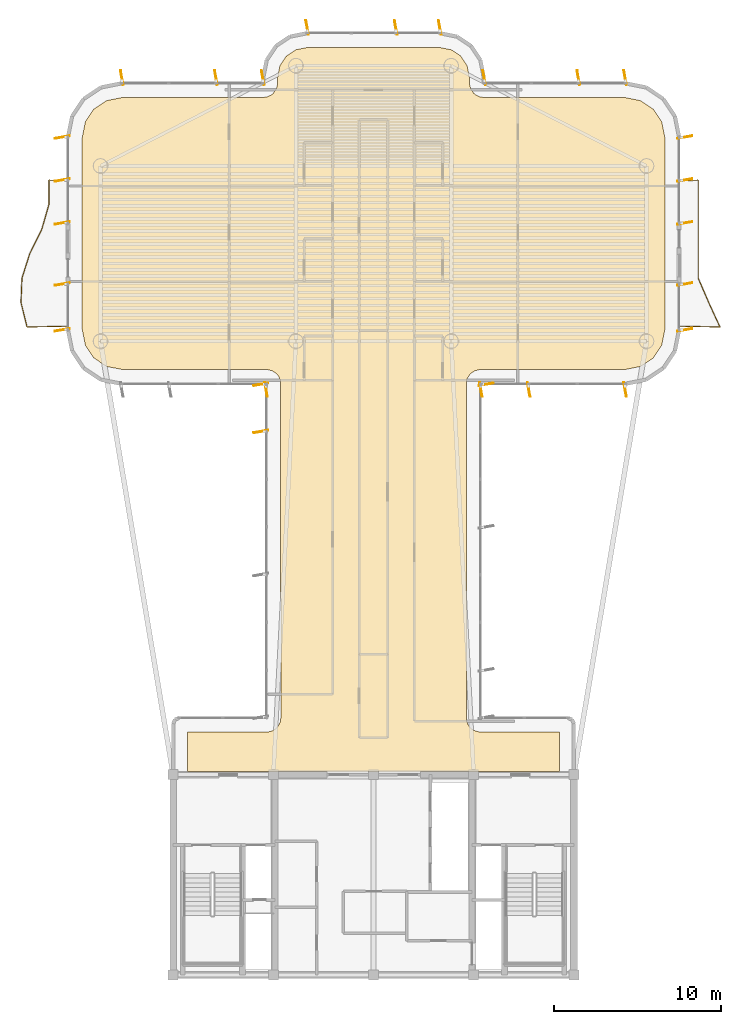
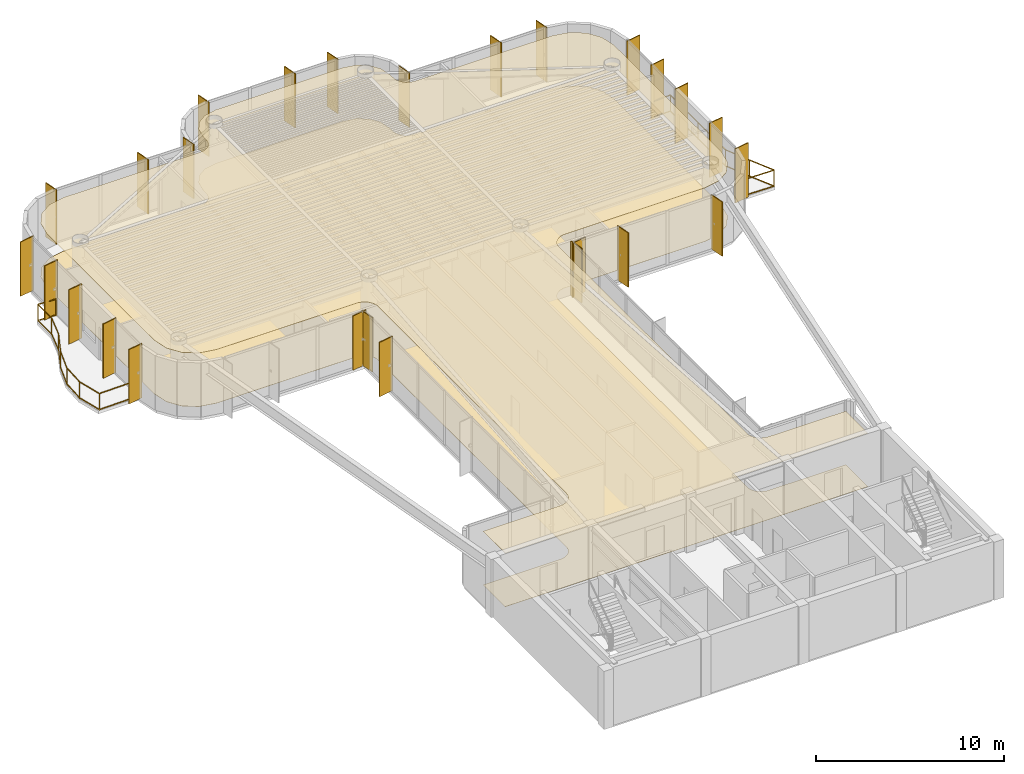
# One storey, part 16 of 16: 26 shading devices, 2 coverings, 2 railings.
"""IFC4 building model written with IfcOpenShell, lengths in metres."""

from ifc_helpers import new_model, si_unit, direction, frame, origin, origin_2d, place, context, subcontext, project, spatial, polyline, rectangle, outline, extrude, source, transform, mapped, material, layer, layer_set, material_profile, profile_set, type_object, element, save


model = new_model("IFC4")

# Units and contexts
model_context = context("Model", 3, precision=1e-05, world=origin(), true_north=direction((0.0, 1.0)))
body_context = subcontext(model_context, "Body", "Model", "MODEL_VIEW")
ifc_project = project(units=[si_unit("LENGTHUNIT", "METRE"), si_unit("AREAUNIT", "SQUARE_METRE"), si_unit("VOLUMEUNIT", "CUBIC_METRE"), si_unit("PLANEANGLEUNIT", "RADIAN"), si_unit("MASSUNIT", "GRAM", prefix="KILO")], contexts=[model_context])

# Site, building, storey
site_placement = place(None, origin())
site = spatial("IfcSite", under=ifc_project, at=site_placement, CompositionType="ELEMENT")
building_placement = place(site_placement, origin())
building = spatial("IfcBuilding", under=site, at=building_placement, Name="Brelvock Crest Care Tower", CompositionType="ELEMENT")
storey_placement = place(building_placement, frame((0.0, 0.0, 234.360107421875)))
storey = spatial("IfcBuildingStorey", under=building, at=storey_placement, Name="L59", CompositionType="ELEMENT", Elevation=234.360107421875)

# Coverings
ifc_material_1 = material(Name="Mineral Fibre Acoustic Ceiling Tile", Category="gypsum")
ifc_layer_1 = layer(ifc_material_1, 0.02490234375, Name="COV-CLG1")
ifc_layer_set_1 = layer_set([ifc_layer_1], Name="Mineral Fibre Acoustic Ceiling Tile")
covering_type_1 = type_object("IfcCoveringType", Name="COV-CLG1", PredefinedType="CEILING", material=ifc_layer_set_1)
covering_1_placement = place(storey_placement, frame((0.0, 0.0, 3.474853515625)))
element("IfcCovering", 1, at=covering_1_placement, inside=storey, type_object=covering_type_1, Name="L59 Acoustic Suspended Ceiling 1", PredefinedType="CEILING", context=body_context, shape_type="SweptSolid", body=[
    extrude(outline(polyline([(24.85009765625, 18.199951171875), (47.14990234375, 18.199951171875), (47.14990234375, 20.550048828125), (42.316650390625, 20.55419921875), (41.999267578125, 20.650390625), (41.799072265625, 20.799072265625), (41.650390625, 20.999267578125), (41.56640625, 21.234130859375), (41.55419921875, 41.4833984375), (41.61474609375, 41.725341796875), (41.799072265625, 42.0009765625), (42.07470703125, 42.185302734375), (42.316650390625, 42.245849609375), (51.016357421875, 42.25), (51.992919921875, 42.4443359375), (52.75, 42.9501953125), (53.255615234375, 43.70703125), (53.449951171875, 44.68359375), (53.449951171875, 56.1162109375), (53.255615234375, 57.093017578125), (52.75, 57.849853515625), (51.992919921875, 58.355712890625), (51.016357421875, 58.550048828125), (42.60009765625, 58.550048828125), (42.353271484375, 58.586669921875), (42.127685546875, 58.693359375), (41.9990234375, 58.799072265625), (41.814697265625, 59.07470703125), (41.754150390625, 59.316650390625), (41.75, 59.71630859375), (41.601318359375, 60.46337890625), (41.2255859375, 61.025634765625), (40.663330078125, 61.4013671875), (39.916259765625, 61.550048828125), (32.083740234375, 61.550048828125), (31.336669921875, 61.4013671875), (30.7744140625, 61.025634765625), (30.398681640625, 60.46337890625), (30.25, 59.71630859375), (30.245849609375, 59.316650390625), (30.185302734375, 59.07470703125), (30.0009765625, 58.799072265625), (29.872314453125, 58.693359375), (29.646728515625, 58.586669921875), (29.39990234375, 58.550048828125), (20.983642578125, 58.550048828125), (20.007080078125, 58.355712890625), (19.25, 57.849853515625), (18.744384765625, 57.093017578125), (18.550048828125, 56.1162109375), (18.550048828125, 44.68359375), (18.744384765625, 43.70703125), (19.25, 42.9501953125), (20.007080078125, 42.4443359375), (20.983642578125, 42.25), (29.683349609375, 42.245849609375), (29.92529296875, 42.185302734375), (30.200927734375, 42.0009765625), (30.349609375, 41.80078125), (30.43359375, 41.56591796875), (30.449951171875, 21.39990234375), (30.413330078125, 21.1533203125), (30.306640625, 20.927734375), (30.13916015625, 20.742919921875), (29.92529296875, 20.61474609375), (29.683349609375, 20.55419921875), (24.85009765625, 20.550048828125), (24.85009765625, 18.199951171875)])), origin(), (0.0, 0.0, 1.0), 0.025146484375),
])
ifc_material_2 = material(Name="Slip-Resistant Acoustic Vinyl Flooring", Category="finish")
ifc_layer_2 = layer(ifc_material_2, 0.014892578125, Name="COV-FLR1")
ifc_layer_set_2 = layer_set([ifc_layer_2], Name="Slip-Resistant Acoustic Vinyl Flooring")
covering_type_2 = type_object("IfcCoveringType", Name="COV-FLR1", PredefinedType="FLOORING", material=ifc_layer_set_2)
covering_2_placement = place(storey_placement, origin())
element("IfcCovering", 2, at=covering_2_placement, inside=storey, type_object=covering_type_2, Name="L59 Slip-Resistant Acoustic Flooring 1", PredefinedType="FLOORING", context=body_context, shape_type="SweptSolid", body=[
    extrude(outline(polyline([(24.85009765625, 18.199951171875), (47.14990234375, 18.199951171875), (47.14990234375, 20.550048828125), (42.316650390625, 20.55419921875), (41.999267578125, 20.650390625), (41.799072265625, 20.799072265625), (41.650390625, 20.999267578125), (41.56640625, 21.234130859375), (41.55419921875, 41.4833984375), (41.61474609375, 41.725341796875), (41.799072265625, 42.0009765625), (42.07470703125, 42.185302734375), (42.316650390625, 42.245849609375), (51.016357421875, 42.25), (51.992919921875, 42.4443359375), (52.75, 42.9501953125), (53.255615234375, 43.70703125), (53.449951171875, 44.68359375), (53.449951171875, 56.1162109375), (53.255615234375, 57.093017578125), (52.75, 57.849853515625), (51.992919921875, 58.355712890625), (51.016357421875, 58.550048828125), (42.60009765625, 58.550048828125), (42.353271484375, 58.586669921875), (42.127685546875, 58.693359375), (41.9990234375, 58.799072265625), (41.814697265625, 59.07470703125), (41.754150390625, 59.316650390625), (41.75, 59.71630859375), (41.601318359375, 60.46337890625), (41.2255859375, 61.025634765625), (40.663330078125, 61.4013671875), (39.916259765625, 61.550048828125), (32.083740234375, 61.550048828125), (31.336669921875, 61.4013671875), (30.7744140625, 61.025634765625), (30.398681640625, 60.46337890625), (30.25, 59.71630859375), (30.245849609375, 59.316650390625), (30.185302734375, 59.07470703125), (30.0009765625, 58.799072265625), (29.872314453125, 58.693359375), (29.646728515625, 58.586669921875), (29.39990234375, 58.550048828125), (20.983642578125, 58.550048828125), (20.007080078125, 58.355712890625), (19.25, 57.849853515625), (18.744384765625, 57.093017578125), (18.550048828125, 56.1162109375), (18.550048828125, 44.68359375), (18.744384765625, 43.70703125), (19.25, 42.9501953125), (20.007080078125, 42.4443359375), (20.983642578125, 42.25), (29.683349609375, 42.245849609375), (29.92529296875, 42.185302734375), (30.200927734375, 42.0009765625), (30.349609375, 41.80078125), (30.43359375, 41.56591796875), (30.449951171875, 21.39990234375), (30.413330078125, 21.1533203125), (30.306640625, 20.927734375), (30.13916015625, 20.742919921875), (29.92529296875, 20.61474609375), (29.683349609375, 20.55419921875), (24.85009765625, 20.550048828125), (24.85009765625, 18.199951171875)])), origin(), (0.0, 0.0, 1.0), 0.014892578125),
])

# Railings
ifc_material_3 = material(Name="Dark Glass Double Glazed Low-E", Category="glass")
ifc_layer_3 = layer(ifc_material_3, 0.06005859375, Name="RL-BAL1")
ifc_layer_set_3 = layer_set([ifc_layer_3], Name="Dark Glass Double Glazed Low-E")
railing_type = type_object("IfcRailingType", Name="RL-BAL1", PredefinedType="BALUSTRADE", material=ifc_layer_set_3)
railing_1_placement = place(storey_placement, frame((17.659912109375, 44.85009765625, 0.00390625)))
element("IfcRailing", 3, at=railing_1_placement, inside=storey, type_object=railing_type, Name="L59 Safety Balustrade WB-W", PredefinedType="BALUSTRADE", context=body_context, shape_type="SweptSolid", body=[
    extrude(rectangle(XDim=0.048095703125, YDim=0.048095703125, at=origin_2d()), frame((-0.001953125, 0.0, 1.09619140625), z_axis=(-0.999783452903, -0.020809788592, 0.0), x_axis=(0.020809788592, -0.999783452903, 0.0)), (0.0, 0.0, 1.0), 2.401123046875),
    extrude(rectangle(XDim=0.048095703125, YDim=0.048095703125, at=origin_2d()), frame((-0.001953125, 0.0, 0.054931640625), z_axis=(-0.999783452903, -0.020809788592, 0.0), x_axis=(0.020809788592, -0.999783452903, 0.0)), (0.0, 0.0, 1.0), 2.401123046875),
    extrude(rectangle(XDim=0.048095703125, YDim=0.048095703125, at=origin_2d()), frame((-2.405029296875, -0.048095703125, 1.09619140625), z_axis=(-0.242117552355, 0.970246922614, 0.0), x_axis=(-0.970246922614, -0.242117552355, 0.0)), (0.0, 0.0, 1.0), 1.507568359375),
    extrude(rectangle(XDim=0.048095703125, YDim=0.048095703125, at=origin_2d()), frame((-2.405029296875, -0.048095703125, 0.054931640625), z_axis=(-0.242117552355, 0.970246922614, 0.0), x_axis=(-0.970246922614, -0.242117552355, 0.0)), (0.0, 0.0, 1.0), 1.507568359375),
    extrude(rectangle(XDim=0.048095703125, YDim=0.048095703125, at=origin_2d()), frame((-2.7705078125, 1.41845703125, 1.09619140625), z_axis=(0.041077151543, 0.999155977624, 0.0), x_axis=(-0.999155977624, 0.041077151543, 0.0)), (0.0, 0.0, 1.0), 1.464111328125),
    extrude(rectangle(XDim=0.048095703125, YDim=0.048095703125, at=origin_2d()), frame((-2.7705078125, 1.41845703125, 0.054931640625), z_axis=(0.041077151543, 0.999155977624, 0.0), x_axis=(-0.999155977624, 0.041077151543, 0.0)), (0.0, 0.0, 1.0), 1.464111328125),
    extrude(rectangle(XDim=0.048095703125, YDim=0.048095703125, at=origin_2d()), frame((-2.709716796875, 2.88525390625, 1.09619140625), z_axis=(0.303301869787, 0.952894525005, 0.0), x_axis=(-0.952894525005, 0.303301869787, 0.0)), (0.0, 0.0, 1.0), 1.53515625),
    extrude(rectangle(XDim=0.048095703125, YDim=0.048095703125, at=origin_2d()), frame((-2.709716796875, 2.88525390625, 0.054931640625), z_axis=(0.303301869787, 0.952894525005, 0.0), x_axis=(-0.952894525005, 0.303301869787, 0.0)), (0.0, 0.0, 1.0), 1.53515625),
    extrude(rectangle(XDim=0.048095703125, YDim=0.048095703125, at=origin_2d()), frame((-2.242431640625, 4.3515625, 1.09619140625), z_axis=(0.442070383243, 0.896980365593, 0.0), x_axis=(-0.896980365593, 0.442070383243, 0.0)), (0.0, 0.0, 1.0), 1.63134765625),
    extrude(rectangle(XDim=0.048095703125, YDim=0.048095703125, at=origin_2d()), frame((-2.242431640625, 4.3515625, 0.054931640625), z_axis=(0.442070383243, 0.896980365593, 0.0), x_axis=(-0.896980365593, 0.442070383243, 0.0)), (0.0, 0.0, 1.0), 1.63134765625),
    extrude(rectangle(XDim=0.048095703125, YDim=0.048095703125, at=origin_2d()), frame((-1.52001953125, 5.818603515625, 1.09619140625), z_axis=(0.275714312465, 0.961239625641, 0.0), x_axis=(-0.961239625641, 0.275714312465, 0.0)), (0.0, 0.0, 1.0), 1.521728515625),
    extrude(rectangle(XDim=0.048095703125, YDim=0.048095703125, at=origin_2d()), frame((-1.52001953125, 5.818603515625, 0.054931640625), z_axis=(0.275714312465, 0.961239625641, 0.0), x_axis=(-0.961239625641, 0.275714312465, 0.0)), (0.0, 0.0, 1.0), 1.521728515625),
    extrude(rectangle(XDim=0.048095703125, YDim=0.048095703125, at=origin_2d()), frame((-1.099853515625, 7.28515625, 1.09619140625), z_axis=(0.0, 1.0, 0.0), x_axis=(-1.0, 0.0, 0.0)), (0.0, 0.0, 1.0), 1.462890625),
    extrude(rectangle(XDim=0.048095703125, YDim=0.048095703125, at=origin_2d()), frame((-1.099853515625, 7.28515625, 0.054931640625), z_axis=(0.0, 1.0, 0.0), x_axis=(-1.0, 0.0, 0.0)), (0.0, 0.0, 1.0), 1.462890625),
    extrude(rectangle(XDim=0.048095703125, YDim=0.048095703125, at=origin_2d()), frame((-1.097900390625, 8.75, 1.09619140625), z_axis=(0.998966252902, -0.045457953795, 0.0), x_axis=(0.045457953795, 0.998966252902, 0.0)), (0.0, 0.0, 1.0), 1.096923828125),
    extrude(rectangle(XDim=0.048095703125, YDim=0.048095703125, at=origin_2d()), frame((-1.097900390625, 8.75, 0.054931640625), z_axis=(0.998966252902, -0.045457953795, 0.0), x_axis=(0.045457953795, 0.998966252902, 0.0)), (0.0, 0.0, 1.0), 1.096923828125),
    extrude(rectangle(XDim=0.0419921875, YDim=0.0419921875, at=origin_2d()), origin(), (0.0, 0.0, 1.0), 1.070068359375),
    extrude(rectangle(XDim=0.0419921875, YDim=0.0419921875, at=origin_2d()), frame((-2.404541015625, -0.050048828125, 0.0)), (0.0, 0.0, 1.0), 1.070068359375),
    extrude(rectangle(XDim=0.0419921875, YDim=0.0419921875, at=origin_2d()), frame((-2.7705078125, 1.41650390625, 0.0)), (0.0, 0.0, 1.0), 1.070068359375),
    extrude(rectangle(XDim=0.0419921875, YDim=0.0419921875, at=origin_2d()), frame((-2.710205078125, 2.88330078125, 0.0)), (0.0, 0.0, 1.0), 1.070068359375),
    extrude(rectangle(XDim=0.0419921875, YDim=0.0419921875, at=origin_2d()), frame((-2.243408203125, 4.349853515625, 0.0)), (0.0, 0.0, 1.0), 1.070068359375),
    extrude(rectangle(XDim=0.0419921875, YDim=0.0419921875, at=origin_2d()), frame((-1.5205078125, 5.816650390625, 0.0)), (0.0, 0.0, 1.0), 1.070068359375),
    extrude(rectangle(XDim=0.0419921875, YDim=0.0419921875, at=origin_2d()), frame((-1.099853515625, 7.283203125, 0.0)), (0.0, 0.0, 1.0), 1.070068359375),
    extrude(rectangle(XDim=0.0419921875, YDim=0.0419921875, at=origin_2d()), frame((-1.099853515625, 8.75, 0.0)), (0.0, 0.0, 1.0), 1.070068359375),
    extrude(rectangle(XDim=0.0419921875, YDim=0.0419921875, at=origin_2d()), frame((0.0, 8.699951171875, 0.0)), (0.0, 0.0, 1.0), 1.070068359375),
])
railing_2_placement = place(storey_placement, frame((54.340087890625, 44.85009765625, 0.00390625)))
element("IfcRailing", 4, at=railing_2_placement, inside=storey, type_object=railing_type, Name="L59 Safety Balustrade WB-E", PredefinedType="BALUSTRADE", context=body_context, shape_type="SweptSolid", body=[
    extrude(rectangle(XDim=0.048095703125, YDim=0.048095703125, at=origin_2d()), frame((0.001953125, 0.0, 1.09619140625), z_axis=(0.999783452903, -0.020809788592, 0.0), x_axis=(0.020809788592, 0.999783452903, 0.0)), (0.0, 0.0, 1.0), 2.401123046875),
    extrude(rectangle(XDim=0.048095703125, YDim=0.048095703125, at=origin_2d()), frame((0.001953125, 0.0, 0.054931640625), z_axis=(0.999783452903, -0.020809788592, 0.0), x_axis=(0.020809788592, 0.999783452903, 0.0)), (0.0, 0.0, 1.0), 2.401123046875),
    extrude(rectangle(XDim=0.048095703125, YDim=0.048095703125, at=origin_2d()), frame((2.40380859375, -0.04833984375, 1.09619140625), z_axis=(-0.417503547282, 0.908675292944, 0.0), x_axis=(-0.908675292944, -0.417503547282, 0.0)), (0.0, 0.0, 1.0), 1.60986328125),
    extrude(rectangle(XDim=0.048095703125, YDim=0.048095703125, at=origin_2d()), frame((2.40380859375, -0.04833984375, 0.054931640625), z_axis=(-0.417503547282, 0.908675292944, 0.0), x_axis=(-0.908675292944, -0.417503547282, 0.0)), (0.0, 0.0, 1.0), 1.60986328125),
    extrude(rectangle(XDim=0.048095703125, YDim=0.048095703125, at=origin_2d()), frame((1.72998046875, 1.41845703125, 1.09619140625), z_axis=(-0.395100013248, 0.918638111299, 0.0), x_axis=(-0.918638111299, -0.395100013248, 0.0)), (0.0, 0.0, 1.0), 1.5927734375),
    extrude(rectangle(XDim=0.048095703125, YDim=0.048095703125, at=origin_2d()), frame((1.72998046875, 1.41845703125, 0.054931640625), z_axis=(-0.395100013248, 0.918638111299, 0.0), x_axis=(-0.918638111299, -0.395100013248, 0.0)), (0.0, 0.0, 1.0), 1.5927734375),
    extrude(rectangle(XDim=0.048095703125, YDim=0.048095703125, at=origin_2d()), frame((1.099853515625, 2.88525390625, 1.09619140625), z_axis=(0.0, 1.0, 0.0), x_axis=(-1.0, 0.0, 0.0)), (0.0, 0.0, 1.0), 5.86279296875),
    extrude(rectangle(XDim=0.048095703125, YDim=0.048095703125, at=origin_2d()), frame((1.099853515625, 2.88525390625, 0.054931640625), z_axis=(0.0, 1.0, 0.0), x_axis=(-1.0, 0.0, 0.0)), (0.0, 0.0, 1.0), 5.86279296875),
    extrude(rectangle(XDim=0.048095703125, YDim=0.048095703125, at=origin_2d()), frame((1.097900390625, 8.75, 1.09619140625), z_axis=(-0.998966252902, -0.045457953795, 0.0), x_axis=(0.045457953795, -0.998966252902, 0.0)), (0.0, 0.0, 1.0), 1.096923828125),
    extrude(rectangle(XDim=0.048095703125, YDim=0.048095703125, at=origin_2d()), frame((1.097900390625, 8.75, 0.054931640625), z_axis=(-0.998966252902, -0.045457953795, 0.0), x_axis=(0.045457953795, -0.998966252902, 0.0)), (0.0, 0.0, 1.0), 1.096923828125),
    extrude(rectangle(XDim=0.0419921875, YDim=0.0419921875, at=origin_2d()), origin(), (0.0, 0.0, 1.0), 1.070068359375),
    extrude(rectangle(XDim=0.0419921875, YDim=0.0419921875, at=origin_2d()), frame((2.404541015625, -0.050048828125, 0.0)), (0.0, 0.0, 1.0), 1.070068359375),
    extrude(rectangle(XDim=0.0419921875, YDim=0.0419921875, at=origin_2d()), frame((1.730712890625, 1.41650390625, 0.0)), (0.0, 0.0, 1.0), 1.070068359375),
    extrude(rectangle(XDim=0.0419921875, YDim=0.0419921875, at=origin_2d()), frame((1.099853515625, 2.88330078125, 0.0)), (0.0, 0.0, 1.0), 1.070068359375),
    extrude(rectangle(XDim=0.0419921875, YDim=0.0419921875, at=origin_2d()), frame((1.099853515625, 5.816650390625, 0.0)), (0.0, 0.0, 1.0), 1.070068359375),
    extrude(rectangle(XDim=0.0419921875, YDim=0.0419921875, at=origin_2d()), frame((1.099853515625, 8.75, 0.0)), (0.0, 0.0, 1.0), 1.070068359375),
    extrude(rectangle(XDim=0.0419921875, YDim=0.0419921875, at=origin_2d()), frame((0.0, 8.699951171875, 0.0)), (0.0, 0.0, 1.0), 1.070068359375),
])

# Shading devices
ifc_material_4 = material(Name="Aluminium 6063-T6", Category="aluminium")
ifc_material_profile = material_profile(ifc_material_4, rectangle(XDim=0.054931640625, YDim=0.89990234375, at=origin_2d()), Name="FIN55x900")
ifc_profile_set = profile_set([ifc_material_profile], Name="Aluminium 6063-T6")
shading_device_type = type_object("IfcShadingDeviceType", Name="SHD-FIN1", PredefinedType="USERDEFINED", material=ifc_profile_set)
shared_shape = source(origin(), body_context, "Body", "SweptSolid", [
    extrude(rectangle(XDim=0.054931640625, YDim=0.89990234375, at=origin_2d()), origin(), (0.0, 0.0, 1.0), 3.52978515625),
])
for number, where, z_axis, x_axis, name in (
    (5, (29.260009765625, 38.54296875, 0.0), (0.0, 0.0, 1.0), (-0.173648177667, 0.984807753012, 0.0), "L59 Vertical Sunshade Fin E11-07"),
    (6, (29.260009765625, 41.3701171875, 0.0), (0.0, 0.0, 1.0), (-0.173648177667, 0.984807753012, 0.0), "L59 Vertical Sunshade Fin E11-08"),
    (7, (29.570068359375, 41.06005859375, 0.0), (0.0, 0.0, 1.0), (-0.984807753012, -0.173648177667, 0.0), "L59 Vertical Sunshade Fin E12-01"),
    (8, (17.360107421875, 44.6298828125, 0.0), (0.0, 0.0, 1.0), (-0.173648177667, 0.984807753012, 0.0), "L59 Vertical Sunshade Fin E17A-01"),
    (9, (17.360107421875, 47.3701171875, 0.0), (0.0, 0.0, 1.0), (-0.173648177667, 0.984807753012, 0.0), "L59 Vertical Sunshade Fin E17A-02"),
    (10, (17.360107421875, 51.030029296875, 0.0), (0.0, 0.0, 1.0), (-0.173648177667, 0.984807753012, 0.0), "L59 Vertical Sunshade Fin E17B-01"),
    (11, (17.360107421875, 53.60009765625, 0.0), (0.0, 0.0, 1.0), (-0.173648177667, 0.984807753012, 0.0), "L59 Vertical Sunshade Fin E17B-02"),
    (12, (17.360107421875, 56.169921875, 0.0), (0.0, 0.0, 1.0), (-0.173648177667, 0.984807753012, 0.0), "L59 Vertical Sunshade Fin E17B-03"),
    (13, (20.929931640625, 59.739990234375, 0.0), (0.0, 0.0, 1.0), (0.984807753012, 0.173648177667, 0.0), "L59 Vertical Sunshade Fin E22-01"),
    (14, (26.566650390625, 59.739990234375, 0.0), (0.0, 0.0, 1.0), (0.984807753012, 0.173648177667, 0.0), "L59 Vertical Sunshade Fin E22-03"),
    (15, (29.3701171875, 59.739990234375, 0.0), (0.0, 0.0, 1.0), (0.984807753012, 0.173648177667, 0.0), "L59 Vertical Sunshade Fin E22-04"),
    (16, (32.030029296875, 62.739990234375, 0.0), (0.0, 0.0, 1.0), (0.984807753012, 0.173648177667, 0.0), "L59 Vertical Sunshade Fin E28-01"),
    (17, (37.333251953125, 62.739990234375, 0.0), (0.0, 0.0, 1.0), (0.984807753012, 0.173648177667, 0.0), "L59 Vertical Sunshade Fin E28-03"),
    (18, (39.969970703125, 62.739990234375, 0.0), (0.0, 0.0, 1.0), (0.984807753012, 0.173648177667, 0.0), "L59 Vertical Sunshade Fin E28-04"),
    (19, (42.6298828125, 59.739990234375, 0.0), (0.0, 0.0, 1.0), (0.984807753012, 0.173648177667, 0.0), "L59 Vertical Sunshade Fin E34-01"),
    (20, (48.2666015625, 59.739990234375, 0.0), (0.0, 0.0, 1.0), (0.984807753012, 0.173648177667, 0.0), "L59 Vertical Sunshade Fin E34-03"),
    (21, (51.070068359375, 59.739990234375, 0.0), (0.0, 0.0, 1.0), (0.984807753012, 0.173648177667, 0.0), "L59 Vertical Sunshade Fin E34-04"),
    (22, (54.639892578125, 56.169921875, 0.0), (0.0, 0.0, 1.0), (0.173648177667, -0.984807753012, 0.0), "L59 Vertical Sunshade Fin E39A-01"),
    (23, (54.639892578125, 53.60009765625, 0.0), (0.0, 0.0, 1.0), (0.173648177667, -0.984807753012, 0.0), "L59 Vertical Sunshade Fin E39A-02"),
    (24, (54.639892578125, 51.030029296875, 0.0), (0.0, 0.0, 1.0), (0.173648177667, -0.984807753012, 0.0), "L59 Vertical Sunshade Fin E39A-03"),
    (25, (54.639892578125, 47.3701171875, 0.0), (0.0, 0.0, 1.0), (0.173648177667, -0.984807753012, 0.0), "L59 Vertical Sunshade Fin E39B-01"),
    (26, (54.639892578125, 44.6298828125, 0.0), (0.0, 0.0, 1.0), (0.173648177667, -0.984807753012, 0.0), "L59 Vertical Sunshade Fin E39B-02"),
    (27, (51.070068359375, 41.06005859375, 0.0), (0.0, 0.0, 1.0), (-0.984807753012, -0.173648177667, 0.0), "L59 Vertical Sunshade Fin E44-01"),
    (28, (45.300048828125, 41.06005859375, 0.0), (0.0, 0.0, 1.0), (-0.984807753012, -0.173648177667, 0.0), "L59 Vertical Sunshade Fin E44-03"),
    (29, (42.429931640625, 41.06005859375, 0.0), (0.0, 0.0, 1.0), (-0.984807753012, -0.173648177667, 0.0), "L59 Vertical Sunshade Fin E44-04"),
    (30, (42.739990234375, 41.3701171875, 0.0), (0.0, 0.0, 1.0), (0.173648177667, -0.984807753012, 0.0), "L59 Vertical Sunshade Fin E45-01"),
):
    element("IfcShadingDevice", number, at=place(storey_placement, frame(where, z_axis=z_axis, x_axis=x_axis)), inside=storey, type_object=shading_device_type, Name=name, ObjectType="FIN", PredefinedType="USERDEFINED", context=body_context, shape_type="MappedRepresentation", body=[
        mapped(shared_shape, transform((0.0, 0.0, 0.0), x_axis=(1.0, 0.0, 0.0), y_axis=(0.0, 1.0, 0.0), z_axis=(0.0, 0.0, 1.0), scale=1.0)),
    ])

save(model, "model.ifc")
